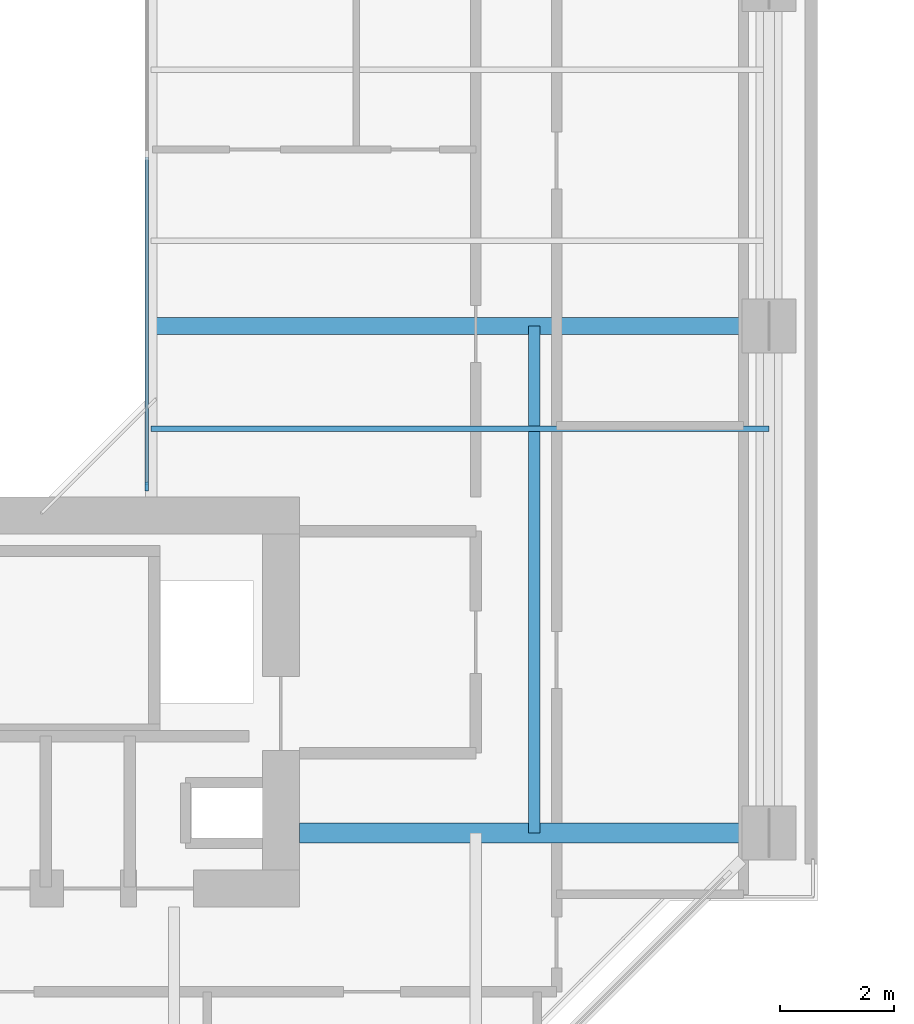
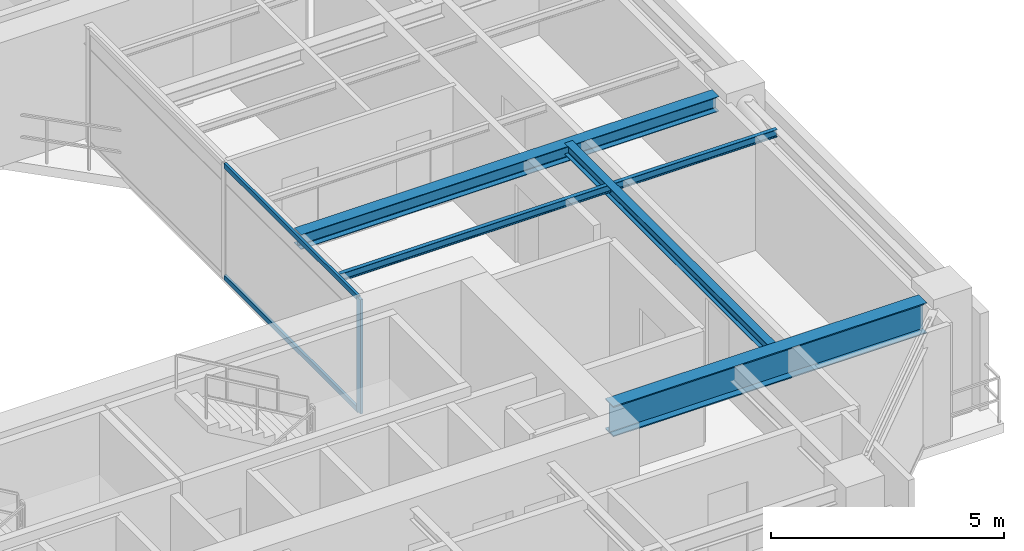
# One storey, part 3 of 14: 4 beams, 3 members, 1 element without a shape of its own.
"""IFC4 building model written with IfcOpenShell, lengths in metres."""

from ifc_helpers import new_model, si_unit, direction, frame, origin, origin_2d, place, context, subcontext, project, spatial, rectangle, i_section, extrude, source, transform, mapped, material, layer, layer_set, material_profile, profile_set, type_object, element, aggregate, save


model = new_model("IFC4")

# Units and contexts
model_context = context("Model", 3, precision=1e-05, world=origin(), true_north=direction((0.0, 1.0)))
body_context = subcontext(model_context, "Body", "Model", "MODEL_VIEW")
ifc_project = project(units=[si_unit("LENGTHUNIT", "METRE"), si_unit("AREAUNIT", "SQUARE_METRE"), si_unit("VOLUMEUNIT", "CUBIC_METRE"), si_unit("PLANEANGLEUNIT", "RADIAN"), si_unit("MASSUNIT", "GRAM", prefix="KILO"), si_unit("THERMODYNAMICTEMPERATUREUNIT", "KELVIN"), si_unit("POWERUNIT", "WATT")], contexts=[model_context])

# Site, building, storey
site_placement = place(None, origin())
site = spatial("IfcSite", under=ifc_project, at=site_placement, CompositionType="ELEMENT")
building_placement = place(site_placement, origin())
building = spatial("IfcBuilding", under=site, at=building_placement, Name="Qiaomeng Ring Towers", CompositionType="ELEMENT")
storey_placement = place(building_placement, frame((0.0, 0.0, 173.0)))
storey = spatial("IfcBuildingStorey", under=building, at=storey_placement, Name="L50", CompositionType="ELEMENT", Elevation=173.0)

# Beams
ifc_material_1 = material(Name="Steel Q355B", Category="steel")
ifc_material_profile_1 = material_profile(ifc_material_1, i_section(OverallWidth=0.10009765625, OverallDepth=0.199951171875, WebThickness=0.005615234375, FlangeThickness=0.008056640625, FilletRadius=0.010986328125, at=origin_2d()), Name="HN 200x100x5.5x8")
ifc_profile_set_1 = profile_set([ifc_material_profile_1], Name="Steel Q355B")
beam_type_1 = type_object("IfcBeamType", Name="STR-BM-HN200", PredefinedType="JOIST", material=ifc_profile_set_1)
shared_shape_1 = source(origin(), body_context, "Body", "SweptSolid", [
    extrude(i_section(OverallWidth=0.10009765625, OverallDepth=0.199951171875, WebThickness=0.005615234375, FlangeThickness=0.008056640625, FilletRadius=0.010986328125, at=origin_2d()), origin(), (0.0, 0.0, 1.0), 10.85009765625),
])
beam_1_placement = place(storey_placement, frame((25.199951171875, 18.199951171875, 2.89990234375), z_axis=(1.0, 0.0, 0.0), x_axis=(0.0, 1.0, 0.0)))
element("IfcBeam", 1, at=beam_1_placement, inside=storey, type_object=beam_type_1, Name="L50 beam STR-JST-L50-T1E-1", PredefinedType="JOIST", context=body_context, shape_type="MappedRepresentation", body=[
    mapped(shared_shape_1, transform((0.0, 0.0, 0.0), x_axis=(1.0, 0.0, 0.0), y_axis=(0.0, 1.0, 0.0), z_axis=(0.0, 0.0, 1.0), scale=1.0)),
])
ifc_material_profile_2 = material_profile(ifc_material_1, i_section(OverallWidth=0.199951171875, OverallDepth=0.2939453125, WebThickness=0.008056640625, FlangeThickness=0.011962890625, FilletRadius=0.01806640625, at=origin_2d()), Name="HM 294x200x8x12")
ifc_profile_set_2 = profile_set([ifc_material_profile_2], Name="Steel Q355B")
beam_type_2 = type_object("IfcBeamType", Name="STR-BM-HM294", PredefinedType="JOIST", material=ifc_profile_set_2)
shared_shape_2 = source(origin(), body_context, "Body", "SweptSolid", [
    extrude(i_section(OverallWidth=0.199951171875, OverallDepth=0.2939453125, WebThickness=0.008056640625, FlangeThickness=0.011962890625, FilletRadius=0.01806640625, at=origin_2d()), origin(), (0.0, 0.0, 1.0), 8.89990234375),
])
beam_2_placement = place(storey_placement, frame((31.925048828125, 11.10009765625, 2.85302734375), z_axis=(0.0, 1.0, 0.0), x_axis=(-1.0, 0.0, 0.0)))
element("IfcBeam", 2, at=beam_2_placement, inside=storey, type_object=beam_type_2, Name="L50 beam STR-JST-L50-T1C-ES", PredefinedType="JOIST", context=body_context, shape_type="MappedRepresentation", body=[
    mapped(shared_shape_2, transform((0.0, 0.0, 0.0), x_axis=(1.0, 0.0, 0.0), y_axis=(0.0, 1.0, 0.0), z_axis=(0.0, 0.0, 1.0), scale=1.0)),
])
ifc_material_2 = material(Name="Steel Q390GJC", Category="steel")
ifc_material_profile_3 = material_profile(ifc_material_2, i_section(OverallWidth=0.35009765625, OverallDepth=0.800048828125, WebThickness=0.01611328125, FlangeThickness=0.028076171875, at=origin_2d()), Name="WH 800x350x16x28")
ifc_profile_set_3 = profile_set([ifc_material_profile_3], Name="Steel Q390GJC")
beam_type_3 = type_object("IfcBeamType", Name="STR-BM-WH800", PredefinedType="BEAM", material=ifc_profile_set_3)
shared_shape_3 = source(origin(), body_context, "Body", "SweptSolid", [
    extrude(i_section(OverallWidth=0.35009765625, OverallDepth=0.800048828125, WebThickness=0.01611328125, FlangeThickness=0.028076171875, at=origin_2d()), origin(), (0.0, 0.0, 1.0), 7.77587890625),
])
beam_3_placement = place(storey_placement, frame((27.800048828125, 11.10009765625, 2.60009765625), z_axis=(1.0, 0.0, 0.0), x_axis=(0.0, 1.0, 0.0)))
element("IfcBeam", 3, at=beam_3_placement, inside=storey, type_object=beam_type_3, Name="L50 beam STR-BM-L50-T1-RAD-E1", PredefinedType="BEAM", context=body_context, shape_type="MappedRepresentation", body=[
    mapped(shared_shape_3, transform((0.0, 0.0, 0.0), x_axis=(1.0, 0.0, 0.0), y_axis=(0.0, 1.0, 0.0), z_axis=(0.0, 0.0, 1.0), scale=1.0)),
])
ifc_material_profile_4 = material_profile(ifc_material_1, i_section(OverallWidth=0.300048828125, OverallDepth=0.389892578125, WebThickness=0.010009765625, FlangeThickness=0.01611328125, FilletRadius=0.02197265625, at=origin_2d()), Name="HM 390x300x10x16")
ifc_profile_set_4 = profile_set([ifc_material_profile_4], Name="Steel Q355B")
beam_type_4 = type_object("IfcBeamType", Name="STR-BM-HM390", PredefinedType="BEAM", material=ifc_profile_set_4)
shared_shape_4 = source(origin(), body_context, "Body", "SweptSolid", [
    extrude(i_section(OverallWidth=0.300048828125, OverallDepth=0.389892578125, WebThickness=0.010009765625, FlangeThickness=0.01611328125, FilletRadius=0.02197265625, at=origin_2d()), origin(), (0.0, 0.0, 1.0), 10.3759765625),
])
beam_4_placement = place(storey_placement, frame((25.199951171875, 20.0, 2.804931640625), z_axis=(1.0, 0.0, 0.0), x_axis=(0.0, 1.0, 0.0)))
element("IfcBeam", 4, at=beam_4_placement, inside=storey, type_object=beam_type_4, Name="L50 beam STR-BM-L50-T1-RAD-E2", PredefinedType="BEAM", context=body_context, shape_type="MappedRepresentation", body=[
    mapped(shared_shape_4, transform((0.0, 0.0, 0.0), x_axis=(1.0, 0.0, 0.0), y_axis=(0.0, 1.0, 0.0), z_axis=(0.0, 0.0, 1.0), scale=1.0)),
])

# Curtain wall, members
ifc_material_3 = material(Name="Fluorocarbon dark-grey aluminium", Category="aluminium")
ifc_layer = layer(ifc_material_3, 0.139892578125, Name="Fluorocarbon dark-grey aluminium")
ifc_layer_set = layer_set([ifc_layer], Name="Fluorocarbon dark-grey aluminium")
curtain_wall_type = type_object("IfcCurtainWallType", Name="ARC-CW-4", PredefinedType="NOTDEFINED", material=ifc_layer_set)
curtain_wall_placement = place(storey_placement, origin())
curtain_wall = element("IfcCurtainWall", 5, at=curtain_wall_placement, inside=storey, type_object=curtain_wall_type, Name="L50 Curtain Wall CW4", PredefinedType="NOTDEFINED")
ifc_material_profile_5 = material_profile(ifc_material_3, rectangle(XDim=0.06494140625, YDim=0.1298828125, at=origin_2d()), Name="ALU TRAN 65x130")
ifc_profile_set_5 = profile_set([ifc_material_profile_5], Name="Fluorocarbon dark-grey aluminium")
member_type_1 = type_object("IfcMemberType", Name="ARC-CWT-120", PredefinedType="USERDEFINED", material=ifc_profile_set_5)
shared_shape_5 = source(origin(), body_context, "Body", "SweptSolid", [
    extrude(rectangle(XDim=0.06494140625, YDim=0.1298828125, at=origin_2d()), origin(), (0.0, 0.0, 1.0), 5.75244140625),
])
member_1_placement = place(storey_placement, frame((25.1201171875, 17.215087890625, 0.032470703125), z_axis=(0.0, 1.0, 0.0), x_axis=(-1.0, 0.0, 0.0)))
member_1 = element("IfcMember", 6, at=member_1_placement, type_object=member_type_1, Name="CW4 transom 1.1", ObjectType="TRANSOM", PredefinedType="USERDEFINED", context=body_context, shape_type="MappedRepresentation", body=[
    mapped(shared_shape_5, transform((0.0, 0.0, 0.0), x_axis=(1.0, 0.0, 0.0), y_axis=(0.0, 1.0, 0.0), z_axis=(0.0, 0.0, 1.0), scale=1.0)),
])
member_2_placement = place(storey_placement, frame((25.1201171875, 17.215087890625, 2.967529296875), z_axis=(0.0, 1.0, 0.0), x_axis=(-1.0, 0.0, 0.0)))
member_2 = element("IfcMember", 7, at=member_2_placement, type_object=member_type_1, Name="CW4 transom 1.2", ObjectType="TRANSOM", PredefinedType="USERDEFINED", context=body_context, shape_type="MappedRepresentation", body=[
    mapped(shared_shape_5, transform((0.0, 0.0, 0.0), x_axis=(1.0, 0.0, 0.0), y_axis=(0.0, 1.0, 0.0), z_axis=(0.0, 0.0, 1.0), scale=1.0)),
])
ifc_material_profile_6 = material_profile(ifc_material_3, rectangle(XDim=0.06494140625, YDim=0.159912109375, at=origin_2d()), Name="ALU MULL 65x160")
ifc_profile_set_6 = profile_set([ifc_material_profile_6], Name="Fluorocarbon dark-grey aluminium")
member_type_2 = type_object("IfcMemberType", Name="ARC-CWM-140", PredefinedType="MULLION", material=ifc_profile_set_6)
shared_shape_6 = source(origin(), body_context, "Body", "SweptSolid", [
    extrude(rectangle(XDim=0.06494140625, YDim=0.159912109375, at=origin_2d()), origin(), (0.0, 0.0, 1.0), 3.0),
])
member_3_placement = place(storey_placement, frame((25.1201171875, 17.1826171875, 0.0), z_axis=(0.0, 0.0, 1.0), x_axis=(-1.0, 0.0, 0.0)))
member_3 = element("IfcMember", 8, at=member_3_placement, type_object=member_type_2, Name="CW4 mullion 1", PredefinedType="MULLION", context=body_context, shape_type="MappedRepresentation", body=[
    mapped(shared_shape_6, transform((0.0, 0.0, 0.0), x_axis=(1.0, 0.0, 0.0), y_axis=(0.0, 1.0, 0.0), z_axis=(0.0, 0.0, 1.0), scale=1.0)),
])
aggregate(curtain_wall, [member_3, member_1, member_2])

save(model, "model.ifc")
